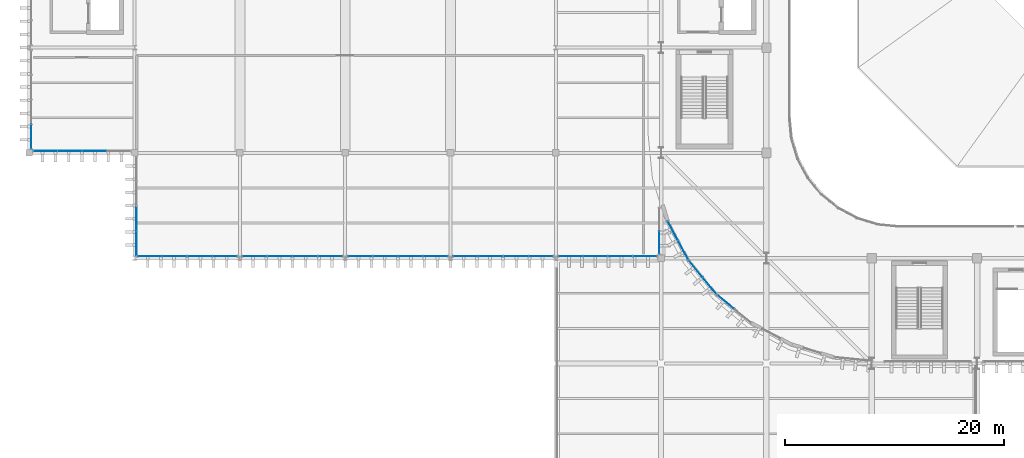
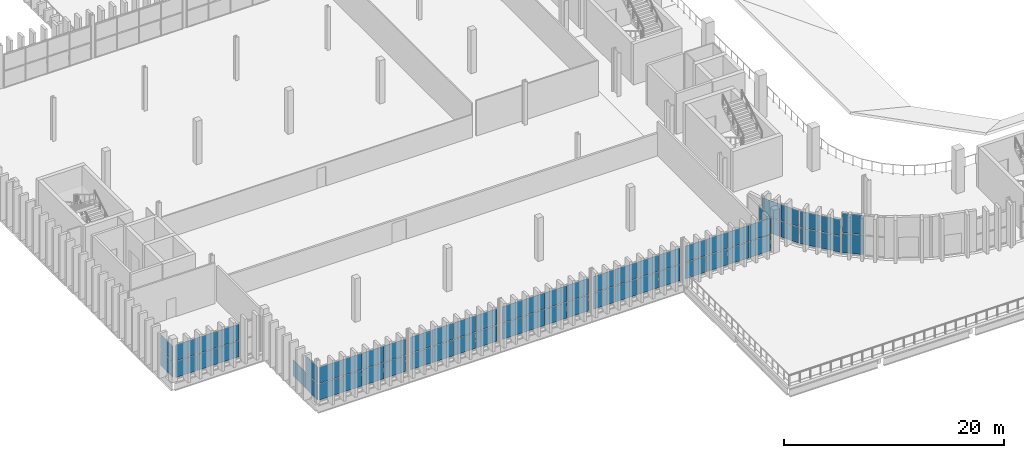
# One storey, part 49 of 99: 63 plates, 12 elements without a shape of their own.
"""IFC4 building model written with IfcOpenShell, lengths in metres."""

from ifc_helpers import new_model, si_unit, direction, frame, origin, origin_2d, place, context, subcontext, project, spatial, rectangle, extrude, material, layer, layer_set, type_object, element, aggregate, save


model = new_model("IFC4")

# Units and contexts
model_context = context("Model", 3, precision=1e-05, world=origin(), true_north=direction((0.0, 1.0)))
body_context = subcontext(model_context, "Body", "Model", "MODEL_VIEW")
ifc_project = project(units=[si_unit("LENGTHUNIT", "METRE"), si_unit("AREAUNIT", "SQUARE_METRE"), si_unit("VOLUMEUNIT", "CUBIC_METRE"), si_unit("PLANEANGLEUNIT", "RADIAN"), si_unit("MASSUNIT", "GRAM", prefix="KILO")], contexts=[model_context])

# Site, building, storey
site_placement = place(None, origin())
site = spatial("IfcSite", under=ifc_project, at=site_placement, CompositionType="ELEMENT")
building_placement = place(site_placement, origin())
building = spatial("IfcBuilding", under=site, at=building_placement, Name="Caelomonte Colonnade Arena", CompositionType="ELEMENT")
storey_placement = place(building_placement, frame((0.0, 0.0, 4.800048828125)))
storey = spatial("IfcBuildingStorey", under=building, at=storey_placement, Name="L01", CompositionType="ELEMENT", Elevation=4.800048828125)

# Curtain wall, plates
ifc_material_1 = material(Name="Bronze anodised aluminium and low-E glazing", Category="aluminium")
ifc_layer_1 = layer(ifc_material_1, 0.179931640625)
ifc_layer_set_1 = layer_set([ifc_layer_1], Name="Bronze anodised aluminium and low-E glazing")
curtain_wall_type_1 = type_object("IfcCurtainWallType", Name="ENV-CW-CW-L01-96-36", PredefinedType="USERDEFINED", material=ifc_layer_set_1)
curtain_wall_1_placement = place(storey_placement, origin())
curtain_wall_1 = element("IfcCurtainWall", 1, at=curtain_wall_1_placement, inside=storey, type_object=curtain_wall_type_1, Name="L01 unitized curtain wall CW-L01-0002-0432", ObjectType="UNITIZED CURTAIN WALL", PredefinedType="USERDEFINED")
ifc_material_2 = material(Name="Solar-control bronze low-E double glazing", Category="glass")
ifc_layer_2 = layer(ifc_material_2, 0.028076171875)
ifc_layer_set_2 = layer_set([ifc_layer_2], Name="Solar-control bronze low-E double glazing")
plate_type = type_object("IfcPlateType", Name="ENV-CW-PAN28", PredefinedType="CURTAIN_PANEL", material=ifc_layer_set_2)
plate_1_placement = place(storey_placement, frame((0.179931640625, 39.87060546875, 0.06494140625), z_axis=(0.0, 0.0, 1.0), x_axis=(0.0, -1.0, 0.0)))
plate_1 = element("IfcPlate", 2, at=plate_1_placement, type_object=plate_type, Name="CW-L01-96-36 panel 4.1", PredefinedType="CURTAIN_PANEL", context=body_context, shape_type="SweptSolid", body=[
    extrude(rectangle(XDim=2.17138671875, YDim=0.028076171875, at=origin_2d()), origin(), (0.0, 0.0, 1.0), 1.698974609375),
])
plate_2_placement = place(storey_placement, frame((0.179931640625, 39.87060546875, 1.8291015625), z_axis=(0.0, 0.0, 1.0), x_axis=(0.0, -1.0, 0.0)))
plate_2 = element("IfcPlate", 3, at=plate_2_placement, type_object=plate_type, Name="CW-L01-96-36 panel 4.2", PredefinedType="CURTAIN_PANEL", context=body_context, shape_type="SweptSolid", body=[
    extrude(rectangle(XDim=2.17138671875, YDim=0.028076171875, at=origin_2d()), origin(), (0.0, 0.0, 1.0), 1.698974609375),
])
aggregate(curtain_wall_1, [plate_1, plate_2])

ifc_layer_3 = layer(ifc_material_1, 0.179931640625)
ifc_layer_set_3 = layer_set([ifc_layer_3], Name="Bronze anodised aluminium and low-E glazing")
curtain_wall_type_2 = type_object("IfcCurtainWallType", Name="ENV-CW-CW-L01-96-38", PredefinedType="USERDEFINED", material=ifc_layer_set_3)
curtain_wall_2_placement = place(storey_placement, origin())
curtain_wall_2 = element("IfcCurtainWall", 4, at=curtain_wall_2_placement, inside=storey, type_object=curtain_wall_type_2, Name="L01 unitized curtain wall CW-L01-0048-0386", ObjectType="UNITIZED CURTAIN WALL", PredefinedType="USERDEFINED")
plate_3_placement = place(storey_placement, frame((1.456298828125, 38.580078125, 0.06494140625), z_axis=(0.0, 0.0, 1.0), x_axis=(1.0, 0.0, 0.0)))
plate_3 = element("IfcPlate", 5, at=plate_3_placement, type_object=plate_type, Name="CW-L01-96-38 panel 1.1", PredefinedType="CURTAIN_PANEL", context=body_context, shape_type="SweptSolid", body=[
    extrude(rectangle(XDim=2.142578125, YDim=0.028076171875, at=origin_2d()), origin(), (0.0, 0.0, 1.0), 1.781494140625),
])
plate_4_placement = place(storey_placement, frame((1.456298828125, 38.580078125, 1.91162109375), z_axis=(0.0, 0.0, 1.0), x_axis=(1.0, 0.0, 0.0)))
plate_4 = element("IfcPlate", 6, at=plate_4_placement, type_object=plate_type, Name="CW-L01-96-38 panel 1.2", PredefinedType="CURTAIN_PANEL", context=body_context, shape_type="SweptSolid", body=[
    extrude(rectangle(XDim=2.142578125, YDim=0.028076171875, at=origin_2d()), origin(), (0.0, 0.0, 1.0), 1.781494140625),
])
plate_5_placement = place(storey_placement, frame((3.679931640625, 38.580078125, 0.06494140625), z_axis=(0.0, 0.0, 1.0), x_axis=(1.0, 0.0, 0.0)))
plate_5 = element("IfcPlate", 7, at=plate_5_placement, type_object=plate_type, Name="CW-L01-96-38 panel 2.1", PredefinedType="CURTAIN_PANEL", context=body_context, shape_type="SweptSolid", body=[
    extrude(rectangle(XDim=2.175048828125, YDim=0.028076171875, at=origin_2d()), origin(), (0.0, 0.0, 1.0), 1.781494140625),
])
plate_6_placement = place(storey_placement, frame((3.679931640625, 38.580078125, 1.91162109375), z_axis=(0.0, 0.0, 1.0), x_axis=(1.0, 0.0, 0.0)))
plate_6 = element("IfcPlate", 8, at=plate_6_placement, type_object=plate_type, Name="CW-L01-96-38 panel 2.2", PredefinedType="CURTAIN_PANEL", context=body_context, shape_type="SweptSolid", body=[
    extrude(rectangle(XDim=2.175048828125, YDim=0.028076171875, at=origin_2d()), origin(), (0.0, 0.0, 1.0), 1.781494140625),
])
plate_7_placement = place(storey_placement, frame((5.919921875, 38.580078125, 0.06494140625), z_axis=(0.0, 0.0, 1.0), x_axis=(1.0, 0.0, 0.0)))
plate_7 = element("IfcPlate", 9, at=plate_7_placement, type_object=plate_type, Name="CW-L01-96-38 panel 3.1", PredefinedType="CURTAIN_PANEL", context=body_context, shape_type="SweptSolid", body=[
    extrude(rectangle(XDim=2.175048828125, YDim=0.028076171875, at=origin_2d()), origin(), (0.0, 0.0, 1.0), 1.781494140625),
])
plate_8_placement = place(storey_placement, frame((5.919921875, 38.580078125, 1.91162109375), z_axis=(0.0, 0.0, 1.0), x_axis=(1.0, 0.0, 0.0)))
plate_8 = element("IfcPlate", 10, at=plate_8_placement, type_object=plate_type, Name="CW-L01-96-38 panel 3.2", PredefinedType="CURTAIN_PANEL", context=body_context, shape_type="SweptSolid", body=[
    extrude(rectangle(XDim=2.175048828125, YDim=0.028076171875, at=origin_2d()), origin(), (0.0, 0.0, 1.0), 1.781494140625),
])
aggregate(curtain_wall_2, [plate_3, plate_4, plate_5, plate_6, plate_7, plate_8])

curtain_wall_3_placement = place(storey_placement, origin())
curtain_wall_3 = element("IfcCurtainWall", 11, at=curtain_wall_3_placement, inside=storey, type_object=curtain_wall_type_2, Name="L01 unitized curtain wall CW-L01-0098-0336", ObjectType="UNITIZED CURTAIN WALL", PredefinedType="USERDEFINED")
plate_9_placement = place(storey_placement, frame((9.780029296875, 32.40771484375, 0.06494140625), z_axis=(0.0, 0.0, 1.0), x_axis=(0.0, -1.0, 0.0)))
plate_9 = element("IfcPlate", 12, at=plate_9_placement, type_object=plate_type, Name="CW-L01-96-38 panel 3.1", PredefinedType="CURTAIN_PANEL", context=body_context, shape_type="SweptSolid", body=[
    extrude(rectangle(XDim=2.203857421875, YDim=0.028076171875, at=origin_2d()), origin(), (0.0, 0.0, 1.0), 1.781494140625),
])
plate_10_placement = place(storey_placement, frame((9.780029296875, 30.155029296875, 0.06494140625), z_axis=(0.0, 0.0, 1.0), x_axis=(0.0, -1.0, 0.0)))
plate_10 = element("IfcPlate", 13, at=plate_10_placement, type_object=plate_type, Name="CW-L01-96-38 panel 4.1", PredefinedType="CURTAIN_PANEL", context=body_context, shape_type="SweptSolid", body=[
    extrude(rectangle(XDim=2.17138671875, YDim=0.028076171875, at=origin_2d()), origin(), (0.0, 0.0, 1.0), 1.781494140625),
])
plate_11_placement = place(storey_placement, frame((9.780029296875, 30.155029296875, 1.91162109375), z_axis=(0.0, 0.0, 1.0), x_axis=(0.0, -1.0, 0.0)))
plate_11 = element("IfcPlate", 14, at=plate_11_placement, type_object=plate_type, Name="CW-L01-96-38 panel 4.2", PredefinedType="CURTAIN_PANEL", context=body_context, shape_type="SweptSolid", body=[
    extrude(rectangle(XDim=2.17138671875, YDim=0.028076171875, at=origin_2d()), origin(), (0.0, 0.0, 1.0), 1.781494140625),
])
aggregate(curtain_wall_3, [plate_9, plate_10, plate_11])

curtain_wall_4_placement = place(storey_placement, origin())
curtain_wall_4 = element("IfcCurtainWall", 15, at=curtain_wall_4_placement, inside=storey, type_object=curtain_wall_type_2, Name="L01 unitized curtain wall CW-L01-0144-0290", ObjectType="UNITIZED CURTAIN WALL", PredefinedType="USERDEFINED")
plate_12_placement = place(storey_placement, frame((10.969482421875, 28.97998046875, 0.06494140625), z_axis=(0.0, 0.0, 1.0), x_axis=(1.0, 0.0, 0.0)))
plate_12 = element("IfcPlate", 16, at=plate_12_placement, type_object=plate_type, Name="CW-L01-96-38 panel 1.1", PredefinedType="CURTAIN_PANEL", context=body_context, shape_type="SweptSolid", body=[
    extrude(rectangle(XDim=2.2001953125, YDim=0.028076171875, at=origin_2d()), origin(), (0.0, 0.0, 1.0), 1.781494140625),
])
plate_13_placement = place(storey_placement, frame((10.969482421875, 28.97998046875, 1.91162109375), z_axis=(0.0, 0.0, 1.0), x_axis=(1.0, 0.0, 0.0)))
plate_13 = element("IfcPlate", 17, at=plate_13_placement, type_object=plate_type, Name="CW-L01-96-38 panel 1.2", PredefinedType="CURTAIN_PANEL", context=body_context, shape_type="SweptSolid", body=[
    extrude(rectangle(XDim=2.2001953125, YDim=0.028076171875, at=origin_2d()), origin(), (0.0, 0.0, 1.0), 1.781494140625),
])
plate_14_placement = place(storey_placement, frame((13.251220703125, 28.97998046875, 0.06494140625), z_axis=(0.0, 0.0, 1.0), x_axis=(1.0, 0.0, 0.0)))
plate_14 = element("IfcPlate", 18, at=plate_14_placement, type_object=plate_type, Name="CW-L01-96-38 panel 2.1", PredefinedType="CURTAIN_PANEL", context=body_context, shape_type="SweptSolid", body=[
    extrude(rectangle(XDim=2.23291015625, YDim=0.028076171875, at=origin_2d()), origin(), (0.0, 0.0, 1.0), 1.781494140625),
])
plate_15_placement = place(storey_placement, frame((13.251220703125, 28.97998046875, 1.91162109375), z_axis=(0.0, 0.0, 1.0), x_axis=(1.0, 0.0, 0.0)))
plate_15 = element("IfcPlate", 19, at=plate_15_placement, type_object=plate_type, Name="CW-L01-96-38 panel 2.2", PredefinedType="CURTAIN_PANEL", context=body_context, shape_type="SweptSolid", body=[
    extrude(rectangle(XDim=2.23291015625, YDim=0.028076171875, at=origin_2d()), origin(), (0.0, 0.0, 1.0), 1.781494140625),
])
plate_16_placement = place(storey_placement, frame((15.548828125, 28.97998046875, 0.06494140625), z_axis=(0.0, 0.0, 1.0), x_axis=(1.0, 0.0, 0.0)))
plate_16 = element("IfcPlate", 20, at=plate_16_placement, type_object=plate_type, Name="CW-L01-96-38 panel 3.1", PredefinedType="CURTAIN_PANEL", context=body_context, shape_type="SweptSolid", body=[
    extrude(rectangle(XDim=2.23291015625, YDim=0.028076171875, at=origin_2d()), origin(), (0.0, 0.0, 1.0), 1.781494140625),
])
plate_17_placement = place(storey_placement, frame((15.548828125, 28.97998046875, 1.91162109375), z_axis=(0.0, 0.0, 1.0), x_axis=(1.0, 0.0, 0.0)))
plate_17 = element("IfcPlate", 21, at=plate_17_placement, type_object=plate_type, Name="CW-L01-96-38 panel 3.2", PredefinedType="CURTAIN_PANEL", context=body_context, shape_type="SweptSolid", body=[
    extrude(rectangle(XDim=2.23291015625, YDim=0.028076171875, at=origin_2d()), origin(), (0.0, 0.0, 1.0), 1.781494140625),
])
plate_18_placement = place(storey_placement, frame((17.83056640625, 28.97998046875, 0.06494140625), z_axis=(0.0, 0.0, 1.0), x_axis=(1.0, 0.0, 0.0)))
plate_18 = element("IfcPlate", 22, at=plate_18_placement, type_object=plate_type, Name="CW-L01-96-38 panel 4.1", PredefinedType="CURTAIN_PANEL", context=body_context, shape_type="SweptSolid", body=[
    extrude(rectangle(XDim=2.2001953125, YDim=0.028076171875, at=origin_2d()), origin(), (0.0, 0.0, 1.0), 1.781494140625),
])
plate_19_placement = place(storey_placement, frame((17.83056640625, 28.97998046875, 1.91162109375), z_axis=(0.0, 0.0, 1.0), x_axis=(1.0, 0.0, 0.0)))
plate_19 = element("IfcPlate", 23, at=plate_19_placement, type_object=plate_type, Name="CW-L01-96-38 panel 4.2", PredefinedType="CURTAIN_PANEL", context=body_context, shape_type="SweptSolid", body=[
    extrude(rectangle(XDim=2.2001953125, YDim=0.028076171875, at=origin_2d()), origin(), (0.0, 0.0, 1.0), 1.781494140625),
])
aggregate(curtain_wall_4, [plate_12, plate_13, plate_14, plate_15, plate_16, plate_17, plate_18, plate_19])

curtain_wall_5_placement = place(storey_placement, origin())
curtain_wall_5 = element("IfcCurtainWall", 24, at=curtain_wall_5_placement, inside=storey, type_object=curtain_wall_type_2, Name="L01 unitized curtain wall CW-L01-0240-0290", ObjectType="UNITIZED CURTAIN WALL", PredefinedType="USERDEFINED")
plate_20_placement = place(storey_placement, frame((20.569580078125, 28.97998046875, 0.06494140625), z_axis=(0.0, 0.0, 1.0), x_axis=(1.0, 0.0, 0.0)))
plate_20 = element("IfcPlate", 25, at=plate_20_placement, type_object=plate_type, Name="CW-L01-96-38 panel 1.1", PredefinedType="CURTAIN_PANEL", context=body_context, shape_type="SweptSolid", body=[
    extrude(rectangle(XDim=2.2001953125, YDim=0.028076171875, at=origin_2d()), origin(), (0.0, 0.0, 1.0), 1.781494140625),
])
plate_21_placement = place(storey_placement, frame((20.569580078125, 28.97998046875, 1.91162109375), z_axis=(0.0, 0.0, 1.0), x_axis=(1.0, 0.0, 0.0)))
plate_21 = element("IfcPlate", 26, at=plate_21_placement, type_object=plate_type, Name="CW-L01-96-38 panel 1.2", PredefinedType="CURTAIN_PANEL", context=body_context, shape_type="SweptSolid", body=[
    extrude(rectangle(XDim=2.2001953125, YDim=0.028076171875, at=origin_2d()), origin(), (0.0, 0.0, 1.0), 1.781494140625),
])
plate_22_placement = place(storey_placement, frame((22.85107421875, 28.97998046875, 0.06494140625), z_axis=(0.0, 0.0, 1.0), x_axis=(1.0, 0.0, 0.0)))
plate_22 = element("IfcPlate", 27, at=plate_22_placement, type_object=plate_type, Name="CW-L01-96-38 panel 2.1", PredefinedType="CURTAIN_PANEL", context=body_context, shape_type="SweptSolid", body=[
    extrude(rectangle(XDim=2.23291015625, YDim=0.028076171875, at=origin_2d()), origin(), (0.0, 0.0, 1.0), 1.781494140625),
])
plate_23_placement = place(storey_placement, frame((22.85107421875, 28.97998046875, 1.91162109375), z_axis=(0.0, 0.0, 1.0), x_axis=(1.0, 0.0, 0.0)))
plate_23 = element("IfcPlate", 28, at=plate_23_placement, type_object=plate_type, Name="CW-L01-96-38 panel 2.2", PredefinedType="CURTAIN_PANEL", context=body_context, shape_type="SweptSolid", body=[
    extrude(rectangle(XDim=2.23291015625, YDim=0.028076171875, at=origin_2d()), origin(), (0.0, 0.0, 1.0), 1.781494140625),
])
plate_24_placement = place(storey_placement, frame((25.14892578125, 28.97998046875, 0.06494140625), z_axis=(0.0, 0.0, 1.0), x_axis=(1.0, 0.0, 0.0)))
plate_24 = element("IfcPlate", 29, at=plate_24_placement, type_object=plate_type, Name="CW-L01-96-38 panel 3.1", PredefinedType="CURTAIN_PANEL", context=body_context, shape_type="SweptSolid", body=[
    extrude(rectangle(XDim=2.23291015625, YDim=0.028076171875, at=origin_2d()), origin(), (0.0, 0.0, 1.0), 1.781494140625),
])
plate_25_placement = place(storey_placement, frame((25.14892578125, 28.97998046875, 1.91162109375), z_axis=(0.0, 0.0, 1.0), x_axis=(1.0, 0.0, 0.0)))
plate_25 = element("IfcPlate", 30, at=plate_25_placement, type_object=plate_type, Name="CW-L01-96-38 panel 3.2", PredefinedType="CURTAIN_PANEL", context=body_context, shape_type="SweptSolid", body=[
    extrude(rectangle(XDim=2.23291015625, YDim=0.028076171875, at=origin_2d()), origin(), (0.0, 0.0, 1.0), 1.781494140625),
])
plate_26_placement = place(storey_placement, frame((27.430419921875, 28.97998046875, 0.06494140625), z_axis=(0.0, 0.0, 1.0), x_axis=(1.0, 0.0, 0.0)))
plate_26 = element("IfcPlate", 31, at=plate_26_placement, type_object=plate_type, Name="CW-L01-96-38 panel 4.1", PredefinedType="CURTAIN_PANEL", context=body_context, shape_type="SweptSolid", body=[
    extrude(rectangle(XDim=2.2001953125, YDim=0.028076171875, at=origin_2d()), origin(), (0.0, 0.0, 1.0), 1.781494140625),
])
plate_27_placement = place(storey_placement, frame((27.430419921875, 28.97998046875, 1.91162109375), z_axis=(0.0, 0.0, 1.0), x_axis=(1.0, 0.0, 0.0)))
plate_27 = element("IfcPlate", 32, at=plate_27_placement, type_object=plate_type, Name="CW-L01-96-38 panel 4.2", PredefinedType="CURTAIN_PANEL", context=body_context, shape_type="SweptSolid", body=[
    extrude(rectangle(XDim=2.2001953125, YDim=0.028076171875, at=origin_2d()), origin(), (0.0, 0.0, 1.0), 1.781494140625),
])
aggregate(curtain_wall_5, [plate_20, plate_21, plate_22, plate_23, plate_24, plate_25, plate_26, plate_27])

curtain_wall_6_placement = place(storey_placement, origin())
curtain_wall_6 = element("IfcCurtainWall", 33, at=curtain_wall_6_placement, inside=storey, type_object=curtain_wall_type_2, Name="L01 unitized curtain wall CW-L01-0336-0290", ObjectType="UNITIZED CURTAIN WALL", PredefinedType="USERDEFINED")
plate_28_placement = place(storey_placement, frame((30.16943359375, 28.97998046875, 0.06494140625), z_axis=(0.0, 0.0, 1.0), x_axis=(1.0, 0.0, 0.0)))
plate_28 = element("IfcPlate", 34, at=plate_28_placement, type_object=plate_type, Name="CW-L01-96-38 panel 1.1", PredefinedType="CURTAIN_PANEL", context=body_context, shape_type="SweptSolid", body=[
    extrude(rectangle(XDim=2.2001953125, YDim=0.028076171875, at=origin_2d()), origin(), (0.0, 0.0, 1.0), 1.781494140625),
])
plate_29_placement = place(storey_placement, frame((30.16943359375, 28.97998046875, 1.91162109375), z_axis=(0.0, 0.0, 1.0), x_axis=(1.0, 0.0, 0.0)))
plate_29 = element("IfcPlate", 35, at=plate_29_placement, type_object=plate_type, Name="CW-L01-96-38 panel 1.2", PredefinedType="CURTAIN_PANEL", context=body_context, shape_type="SweptSolid", body=[
    extrude(rectangle(XDim=2.2001953125, YDim=0.028076171875, at=origin_2d()), origin(), (0.0, 0.0, 1.0), 1.781494140625),
])
plate_30_placement = place(storey_placement, frame((32.451171875, 28.97998046875, 0.06494140625), z_axis=(0.0, 0.0, 1.0), x_axis=(1.0, 0.0, 0.0)))
plate_30 = element("IfcPlate", 36, at=plate_30_placement, type_object=plate_type, Name="CW-L01-96-38 panel 2.1", PredefinedType="CURTAIN_PANEL", context=body_context, shape_type="SweptSolid", body=[
    extrude(rectangle(XDim=2.23291015625, YDim=0.028076171875, at=origin_2d()), origin(), (0.0, 0.0, 1.0), 1.781494140625),
])
plate_31_placement = place(storey_placement, frame((32.451171875, 28.97998046875, 1.91162109375), z_axis=(0.0, 0.0, 1.0), x_axis=(1.0, 0.0, 0.0)))
plate_31 = element("IfcPlate", 37, at=plate_31_placement, type_object=plate_type, Name="CW-L01-96-38 panel 2.2", PredefinedType="CURTAIN_PANEL", context=body_context, shape_type="SweptSolid", body=[
    extrude(rectangle(XDim=2.23291015625, YDim=0.028076171875, at=origin_2d()), origin(), (0.0, 0.0, 1.0), 1.781494140625),
])
plate_32_placement = place(storey_placement, frame((34.748779296875, 28.97998046875, 0.06494140625), z_axis=(0.0, 0.0, 1.0), x_axis=(1.0, 0.0, 0.0)))
plate_32 = element("IfcPlate", 38, at=plate_32_placement, type_object=plate_type, Name="CW-L01-96-38 panel 3.1", PredefinedType="CURTAIN_PANEL", context=body_context, shape_type="SweptSolid", body=[
    extrude(rectangle(XDim=2.23291015625, YDim=0.028076171875, at=origin_2d()), origin(), (0.0, 0.0, 1.0), 1.781494140625),
])
plate_33_placement = place(storey_placement, frame((34.748779296875, 28.97998046875, 1.91162109375), z_axis=(0.0, 0.0, 1.0), x_axis=(1.0, 0.0, 0.0)))
plate_33 = element("IfcPlate", 39, at=plate_33_placement, type_object=plate_type, Name="CW-L01-96-38 panel 3.2", PredefinedType="CURTAIN_PANEL", context=body_context, shape_type="SweptSolid", body=[
    extrude(rectangle(XDim=2.23291015625, YDim=0.028076171875, at=origin_2d()), origin(), (0.0, 0.0, 1.0), 1.781494140625),
])
plate_34_placement = place(storey_placement, frame((37.030517578125, 28.97998046875, 0.06494140625), z_axis=(0.0, 0.0, 1.0), x_axis=(1.0, 0.0, 0.0)))
plate_34 = element("IfcPlate", 40, at=plate_34_placement, type_object=plate_type, Name="CW-L01-96-38 panel 4.1", PredefinedType="CURTAIN_PANEL", context=body_context, shape_type="SweptSolid", body=[
    extrude(rectangle(XDim=2.2001953125, YDim=0.028076171875, at=origin_2d()), origin(), (0.0, 0.0, 1.0), 1.781494140625),
])
plate_35_placement = place(storey_placement, frame((37.030517578125, 28.97998046875, 1.91162109375), z_axis=(0.0, 0.0, 1.0), x_axis=(1.0, 0.0, 0.0)))
plate_35 = element("IfcPlate", 41, at=plate_35_placement, type_object=plate_type, Name="CW-L01-96-38 panel 4.2", PredefinedType="CURTAIN_PANEL", context=body_context, shape_type="SweptSolid", body=[
    extrude(rectangle(XDim=2.2001953125, YDim=0.028076171875, at=origin_2d()), origin(), (0.0, 0.0, 1.0), 1.781494140625),
])
aggregate(curtain_wall_6, [plate_28, plate_29, plate_30, plate_31, plate_32, plate_33, plate_34, plate_35])

curtain_wall_7_placement = place(storey_placement, origin())
curtain_wall_7 = element("IfcCurtainWall", 42, at=curtain_wall_7_placement, inside=storey, type_object=curtain_wall_type_2, Name="L01 unitized curtain wall CW-L01-0432-0290", ObjectType="UNITIZED CURTAIN WALL", PredefinedType="USERDEFINED")
plate_36_placement = place(storey_placement, frame((39.76953125, 28.97998046875, 0.06494140625), z_axis=(0.0, 0.0, 1.0), x_axis=(1.0, 0.0, 0.0)))
plate_36 = element("IfcPlate", 43, at=plate_36_placement, type_object=plate_type, Name="CW-L01-96-38 panel 1.1", PredefinedType="CURTAIN_PANEL", context=body_context, shape_type="SweptSolid", body=[
    extrude(rectangle(XDim=2.2001953125, YDim=0.028076171875, at=origin_2d()), origin(), (0.0, 0.0, 1.0), 1.781494140625),
])
plate_37_placement = place(storey_placement, frame((39.76953125, 28.97998046875, 1.91162109375), z_axis=(0.0, 0.0, 1.0), x_axis=(1.0, 0.0, 0.0)))
plate_37 = element("IfcPlate", 44, at=plate_37_placement, type_object=plate_type, Name="CW-L01-96-38 panel 1.2", PredefinedType="CURTAIN_PANEL", context=body_context, shape_type="SweptSolid", body=[
    extrude(rectangle(XDim=2.2001953125, YDim=0.028076171875, at=origin_2d()), origin(), (0.0, 0.0, 1.0), 1.781494140625),
])
plate_38_placement = place(storey_placement, frame((42.051025390625, 28.97998046875, 0.06494140625), z_axis=(0.0, 0.0, 1.0), x_axis=(1.0, 0.0, 0.0)))
plate_38 = element("IfcPlate", 45, at=plate_38_placement, type_object=plate_type, Name="CW-L01-96-38 panel 2.1", PredefinedType="CURTAIN_PANEL", context=body_context, shape_type="SweptSolid", body=[
    extrude(rectangle(XDim=2.23291015625, YDim=0.028076171875, at=origin_2d()), origin(), (0.0, 0.0, 1.0), 1.781494140625),
])
plate_39_placement = place(storey_placement, frame((42.051025390625, 28.97998046875, 1.91162109375), z_axis=(0.0, 0.0, 1.0), x_axis=(1.0, 0.0, 0.0)))
plate_39 = element("IfcPlate", 46, at=plate_39_placement, type_object=plate_type, Name="CW-L01-96-38 panel 2.2", PredefinedType="CURTAIN_PANEL", context=body_context, shape_type="SweptSolid", body=[
    extrude(rectangle(XDim=2.23291015625, YDim=0.028076171875, at=origin_2d()), origin(), (0.0, 0.0, 1.0), 1.781494140625),
])
plate_40_placement = place(storey_placement, frame((44.348876953125, 28.97998046875, 0.06494140625), z_axis=(0.0, 0.0, 1.0), x_axis=(1.0, 0.0, 0.0)))
plate_40 = element("IfcPlate", 47, at=plate_40_placement, type_object=plate_type, Name="CW-L01-96-38 panel 3.1", PredefinedType="CURTAIN_PANEL", context=body_context, shape_type="SweptSolid", body=[
    extrude(rectangle(XDim=2.23291015625, YDim=0.028076171875, at=origin_2d()), origin(), (0.0, 0.0, 1.0), 1.781494140625),
])
plate_41_placement = place(storey_placement, frame((44.348876953125, 28.97998046875, 1.91162109375), z_axis=(0.0, 0.0, 1.0), x_axis=(1.0, 0.0, 0.0)))
plate_41 = element("IfcPlate", 48, at=plate_41_placement, type_object=plate_type, Name="CW-L01-96-38 panel 3.2", PredefinedType="CURTAIN_PANEL", context=body_context, shape_type="SweptSolid", body=[
    extrude(rectangle(XDim=2.23291015625, YDim=0.028076171875, at=origin_2d()), origin(), (0.0, 0.0, 1.0), 1.781494140625),
])
plate_42_placement = place(storey_placement, frame((46.63037109375, 28.97998046875, 0.06494140625), z_axis=(0.0, 0.0, 1.0), x_axis=(1.0, 0.0, 0.0)))
plate_42 = element("IfcPlate", 49, at=plate_42_placement, type_object=plate_type, Name="CW-L01-96-38 panel 4.1", PredefinedType="CURTAIN_PANEL", context=body_context, shape_type="SweptSolid", body=[
    extrude(rectangle(XDim=2.2001953125, YDim=0.028076171875, at=origin_2d()), origin(), (0.0, 0.0, 1.0), 1.781494140625),
])
plate_43_placement = place(storey_placement, frame((46.63037109375, 28.97998046875, 1.91162109375), z_axis=(0.0, 0.0, 1.0), x_axis=(1.0, 0.0, 0.0)))
plate_43 = element("IfcPlate", 50, at=plate_43_placement, type_object=plate_type, Name="CW-L01-96-38 panel 4.2", PredefinedType="CURTAIN_PANEL", context=body_context, shape_type="SweptSolid", body=[
    extrude(rectangle(XDim=2.2001953125, YDim=0.028076171875, at=origin_2d()), origin(), (0.0, 0.0, 1.0), 1.781494140625),
])
aggregate(curtain_wall_7, [plate_36, plate_37, plate_38, plate_39, plate_40, plate_41, plate_42, plate_43])

curtain_wall_8_placement = place(storey_placement, origin())
curtain_wall_8 = element("IfcCurtainWall", 51, at=curtain_wall_8_placement, inside=storey, type_object=curtain_wall_type_2, Name="L01 unitized curtain wall CW-L01-0528-0290", ObjectType="UNITIZED CURTAIN WALL", PredefinedType="USERDEFINED")
plate_44_placement = place(storey_placement, frame((49.35498046875, 28.97998046875, 0.06494140625), z_axis=(0.0, 0.0, 1.0), x_axis=(1.0, 0.0, 0.0)))
plate_44 = element("IfcPlate", 52, at=plate_44_placement, type_object=plate_type, Name="CW-L01-96-38 panel 1.1", PredefinedType="CURTAIN_PANEL", context=body_context, shape_type="SweptSolid", body=[
    extrude(rectangle(XDim=2.17138671875, YDim=0.028076171875, at=origin_2d()), origin(), (0.0, 0.0, 1.0), 1.781494140625),
])
plate_45_placement = place(storey_placement, frame((49.35498046875, 28.97998046875, 1.91162109375), z_axis=(0.0, 0.0, 1.0), x_axis=(1.0, 0.0, 0.0)))
plate_45 = element("IfcPlate", 53, at=plate_45_placement, type_object=plate_type, Name="CW-L01-96-38 panel 1.2", PredefinedType="CURTAIN_PANEL", context=body_context, shape_type="SweptSolid", body=[
    extrude(rectangle(XDim=2.17138671875, YDim=0.028076171875, at=origin_2d()), origin(), (0.0, 0.0, 1.0), 1.781494140625),
])
plate_46_placement = place(storey_placement, frame((51.607666015625, 28.97998046875, 0.06494140625), z_axis=(0.0, 0.0, 1.0), x_axis=(1.0, 0.0, 0.0)))
plate_46 = element("IfcPlate", 54, at=plate_46_placement, type_object=plate_type, Name="CW-L01-96-38 panel 2.1", PredefinedType="CURTAIN_PANEL", context=body_context, shape_type="SweptSolid", body=[
    extrude(rectangle(XDim=2.203857421875, YDim=0.028076171875, at=origin_2d()), origin(), (0.0, 0.0, 1.0), 1.781494140625),
])
plate_47_placement = place(storey_placement, frame((51.607666015625, 28.97998046875, 1.91162109375), z_axis=(0.0, 0.0, 1.0), x_axis=(1.0, 0.0, 0.0)))
plate_47 = element("IfcPlate", 55, at=plate_47_placement, type_object=plate_type, Name="CW-L01-96-38 panel 2.2", PredefinedType="CURTAIN_PANEL", context=body_context, shape_type="SweptSolid", body=[
    extrude(rectangle(XDim=2.203857421875, YDim=0.028076171875, at=origin_2d()), origin(), (0.0, 0.0, 1.0), 1.781494140625),
])
plate_48_placement = place(storey_placement, frame((53.876708984375, 28.97998046875, 0.06494140625), z_axis=(0.0, 0.0, 1.0), x_axis=(1.0, 0.0, 0.0)))
plate_48 = element("IfcPlate", 56, at=plate_48_placement, type_object=plate_type, Name="CW-L01-96-38 panel 3.1", PredefinedType="CURTAIN_PANEL", context=body_context, shape_type="SweptSolid", body=[
    extrude(rectangle(XDim=2.203857421875, YDim=0.028076171875, at=origin_2d()), origin(), (0.0, 0.0, 1.0), 1.781494140625),
])
plate_49_placement = place(storey_placement, frame((53.876708984375, 28.97998046875, 1.91162109375), z_axis=(0.0, 0.0, 1.0), x_axis=(1.0, 0.0, 0.0)))
plate_49 = element("IfcPlate", 57, at=plate_49_placement, type_object=plate_type, Name="CW-L01-96-38 panel 3.2", PredefinedType="CURTAIN_PANEL", context=body_context, shape_type="SweptSolid", body=[
    extrude(rectangle(XDim=2.203857421875, YDim=0.028076171875, at=origin_2d()), origin(), (0.0, 0.0, 1.0), 1.781494140625),
])
plate_50_placement = place(storey_placement, frame((56.12939453125, 28.97998046875, 0.06494140625), z_axis=(0.0, 0.0, 1.0), x_axis=(1.0, 0.0, 0.0)))
plate_50 = element("IfcPlate", 58, at=plate_50_placement, type_object=plate_type, Name="CW-L01-96-38 panel 4.1", PredefinedType="CURTAIN_PANEL", context=body_context, shape_type="SweptSolid", body=[
    extrude(rectangle(XDim=2.17138671875, YDim=0.028076171875, at=origin_2d()), origin(), (0.0, 0.0, 1.0), 1.781494140625),
])
plate_51_placement = place(storey_placement, frame((56.12939453125, 28.97998046875, 1.91162109375), z_axis=(0.0, 0.0, 1.0), x_axis=(1.0, 0.0, 0.0)))
plate_51 = element("IfcPlate", 59, at=plate_51_placement, type_object=plate_type, Name="CW-L01-96-38 panel 4.2", PredefinedType="CURTAIN_PANEL", context=body_context, shape_type="SweptSolid", body=[
    extrude(rectangle(XDim=2.17138671875, YDim=0.028076171875, at=origin_2d()), origin(), (0.0, 0.0, 1.0), 1.781494140625),
])
aggregate(curtain_wall_8, [plate_44, plate_45, plate_46, plate_47, plate_48, plate_49, plate_50, plate_51])

ifc_layer_4 = layer(ifc_material_1, 0.179931640625)
ifc_layer_set_4 = layer_set([ifc_layer_4], Name="Bronze anodised aluminium and low-E glazing")
curtain_wall_type_3 = type_object("IfcCurtainWallType", Name="ENV-CW-CW-L01-48-36", PredefinedType="USERDEFINED", material=ifc_layer_set_4)
curtain_wall_9_placement = place(storey_placement, origin())
curtain_wall_9 = element("IfcCurtainWall", 60, at=curtain_wall_9_placement, inside=storey, type_object=curtain_wall_type_3, Name="L01 unitized curtain wall CW-L01-0574-0312", ObjectType="UNITIZED CURTAIN WALL", PredefinedType="USERDEFINED")
plate_52_placement = place(storey_placement, frame((57.419921875, 30.21630859375, 0.070068359375), z_axis=(0.0, 0.0, 1.0), x_axis=(0.0, 1.0, 0.0)))
plate_52 = element("IfcPlate", 61, at=plate_52_placement, type_object=plate_type, Name="CW-L01-48-36 panel 1.1", PredefinedType="CURTAIN_PANEL", context=body_context, shape_type="SweptSolid", body=[
    extrude(rectangle(XDim=2.052734375, YDim=0.028076171875, at=origin_2d()), origin(), (0.0, 0.0, 1.0), 1.69140625),
])
plate_53_placement = place(storey_placement, frame((57.419921875, 30.21630859375, 1.83154296875), z_axis=(0.0, 0.0, 1.0), x_axis=(0.0, 1.0, 0.0)))
plate_53 = element("IfcPlate", 62, at=plate_53_placement, type_object=plate_type, Name="CW-L01-48-36 panel 1.2", PredefinedType="CURTAIN_PANEL", context=body_context, shape_type="SweptSolid", body=[
    extrude(rectangle(XDim=2.052734375, YDim=0.028076171875, at=origin_2d()), origin(), (0.0, 0.0, 1.0), 1.69140625),
])
aggregate(curtain_wall_9, [plate_52, plate_53])

ifc_layer_5 = layer(ifc_material_1, 0.179931640625)
ifc_layer_set_5 = layer_set([ifc_layer_5], Name="Bronze anodised aluminium and low-E glazing")
curtain_wall_type_4 = type_object("IfcCurtainWallType", Name="ENV-CW-CW-L01-44-38", PredefinedType="USERDEFINED", material=ifc_layer_set_5)
curtain_wall_10_placement = place(storey_placement, origin())
curtain_wall_10 = element("IfcCurtainWall", 63, at=curtain_wall_10_placement, inside=storey, type_object=curtain_wall_type_4, Name="L01 unitized curtain wall CW-L01-0591-0304", ObjectType="UNITIZED CURTAIN WALL", PredefinedType="USERDEFINED")
plate_54_placement = place(storey_placement, frame((58.66015625, 31.307861328125, 0.070068359375), z_axis=(0.0, 0.0, 1.0), x_axis=(0.471394212466, -0.881922613642, 0.0)))
plate_54 = element("IfcPlate", 64, at=plate_54_placement, type_object=plate_type, Name="CW-L01-44-38 panel 1.1", PredefinedType="CURTAIN_PANEL", context=body_context, shape_type="SweptSolid", body=[
    extrude(rectangle(XDim=1.913330078125, YDim=0.028076171875, at=origin_2d()), origin(), (0.0, 0.0, 1.0), 1.77392578125),
])
plate_55_placement = place(storey_placement, frame((58.66015625, 31.307861328125, 1.9140625), z_axis=(0.0, 0.0, 1.0), x_axis=(0.471394212466, -0.881922613642, 0.0)))
plate_55 = element("IfcPlate", 65, at=plate_55_placement, type_object=plate_type, Name="CW-L01-44-38 panel 1.2", PredefinedType="CURTAIN_PANEL", context=body_context, shape_type="SweptSolid", body=[
    extrude(rectangle(XDim=1.913330078125, YDim=0.028076171875, at=origin_2d()), origin(), (0.0, 0.0, 1.0), 1.77392578125),
])
plate_56_placement = place(storey_placement, frame((59.594970703125, 29.55859375, 0.070068359375), z_axis=(0.0, 0.0, 1.0), x_axis=(0.471394212466, -0.881922613642, 0.0)))
plate_56 = element("IfcPlate", 66, at=plate_56_placement, type_object=plate_type, Name="CW-L01-44-38 panel 2.1", PredefinedType="CURTAIN_PANEL", context=body_context, shape_type="SweptSolid", body=[
    extrude(rectangle(XDim=1.913330078125, YDim=0.028076171875, at=origin_2d()), origin(), (0.0, 0.0, 1.0), 1.77392578125),
])
plate_57_placement = place(storey_placement, frame((59.594970703125, 29.55859375, 1.9140625), z_axis=(0.0, 0.0, 1.0), x_axis=(0.471394212466, -0.881922613642, 0.0)))
plate_57 = element("IfcPlate", 67, at=plate_57_placement, type_object=plate_type, Name="CW-L01-44-38 panel 2.2", PredefinedType="CURTAIN_PANEL", context=body_context, shape_type="SweptSolid", body=[
    extrude(rectangle(XDim=1.913330078125, YDim=0.028076171875, at=origin_2d()), origin(), (0.0, 0.0, 1.0), 1.77392578125),
])
aggregate(curtain_wall_10, [plate_54, plate_55, plate_56, plate_57])

curtain_wall_11_placement = place(storey_placement, origin())
curtain_wall_11 = element("IfcCurtainWall", 68, at=curtain_wall_11_placement, inside=storey, type_object=curtain_wall_type_4, Name="L01 unitized curtain wall CW-L01-0614-0271", ObjectType="UNITIZED CURTAIN WALL", PredefinedType="USERDEFINED")
plate_58_placement = place(storey_placement, frame((60.7548828125, 27.82275390625, 0.070068359375), z_axis=(0.0, 0.0, 1.0), x_axis=(0.634416071163, -0.772991751994, 0.0)))
plate_58 = element("IfcPlate", 69, at=plate_58_placement, type_object=plate_type, Name="CW-L01-44-38 panel 1.1", PredefinedType="CURTAIN_PANEL", context=body_context, shape_type="SweptSolid", body=[
    extrude(rectangle(XDim=1.913330078125, YDim=0.028076171875, at=origin_2d()), origin(), (0.0, 0.0, 1.0), 1.77392578125),
])
plate_59_placement = place(storey_placement, frame((60.7548828125, 27.82275390625, 1.9140625), z_axis=(0.0, 0.0, 1.0), x_axis=(0.634416071163, -0.772991751994, 0.0)))
plate_59 = element("IfcPlate", 70, at=plate_59_placement, type_object=plate_type, Name="CW-L01-44-38 panel 1.2", PredefinedType="CURTAIN_PANEL", context=body_context, shape_type="SweptSolid", body=[
    extrude(rectangle(XDim=1.913330078125, YDim=0.028076171875, at=origin_2d()), origin(), (0.0, 0.0, 1.0), 1.77392578125),
])
plate_60_placement = place(storey_placement, frame((62.01318359375, 26.28955078125, 0.070068359375), z_axis=(0.0, 0.0, 1.0), x_axis=(0.634416071163, -0.772991751994, 0.0)))
plate_60 = element("IfcPlate", 71, at=plate_60_placement, type_object=plate_type, Name="CW-L01-44-38 panel 2.1", PredefinedType="CURTAIN_PANEL", context=body_context, shape_type="SweptSolid", body=[
    extrude(rectangle(XDim=1.913330078125, YDim=0.028076171875, at=origin_2d()), origin(), (0.0, 0.0, 1.0), 1.77392578125),
])
plate_61_placement = place(storey_placement, frame((62.01318359375, 26.28955078125, 1.9140625), z_axis=(0.0, 0.0, 1.0), x_axis=(0.634416071163, -0.772991751994, 0.0)))
plate_61 = element("IfcPlate", 72, at=plate_61_placement, type_object=plate_type, Name="CW-L01-44-38 panel 2.2", PredefinedType="CURTAIN_PANEL", context=body_context, shape_type="SweptSolid", body=[
    extrude(rectangle(XDim=1.913330078125, YDim=0.028076171875, at=origin_2d()), origin(), (0.0, 0.0, 1.0), 1.77392578125),
])
aggregate(curtain_wall_11, [plate_58, plate_59, plate_60, plate_61])

ifc_layer_6 = layer(ifc_material_1, 0.179931640625)
ifc_layer_set_6 = layer_set([ifc_layer_6], Name="Bronze anodised aluminium and low-E glazing")
curtain_wall_type_5 = type_object("IfcCurtainWallType", Name="ENV-CW-CW-L01-44-45", PredefinedType="USERDEFINED", material=ifc_layer_set_6)
curtain_wall_12_placement = place(storey_placement, origin())
curtain_wall_12 = element("IfcCurtainWall", 73, at=curtain_wall_12_placement, inside=storey, type_object=curtain_wall_type_5, Name="L01 unitized curtain wall CW-L01-0643-0242", ObjectType="UNITIZED CURTAIN WALL", PredefinedType="USERDEFINED")
plate_62_placement = place(storey_placement, frame((63.489501953125, 24.813232421875, 0.06982421875), z_axis=(0.0, 0.0, 1.0), x_axis=(0.772991751994, -0.634416071163, 0.0)))
plate_62 = element("IfcPlate", 74, at=plate_62_placement, type_object=plate_type, Name="CW-L01-44-45 panel 1.1", PredefinedType="CURTAIN_PANEL", context=body_context, shape_type="SweptSolid", body=[
    extrude(rectangle(XDim=1.913330078125, YDim=0.028076171875, at=origin_2d()), origin(), (0.0, 0.0, 1.0), 2.155029296875),
])
plate_63_placement = place(storey_placement, frame((63.489501953125, 24.813232421875, 2.294921875), z_axis=(0.0, 0.0, 1.0), x_axis=(0.772991751994, -0.634416071163, 0.0)))
plate_63 = element("IfcPlate", 75, at=plate_63_placement, type_object=plate_type, Name="CW-L01-44-45 panel 1.2", PredefinedType="CURTAIN_PANEL", context=body_context, shape_type="SweptSolid", body=[
    extrude(rectangle(XDim=1.913330078125, YDim=0.028076171875, at=origin_2d()), origin(), (0.0, 0.0, 1.0), 2.155029296875),
])
aggregate(curtain_wall_12, [plate_62, plate_63])

save(model, "model.ifc")
